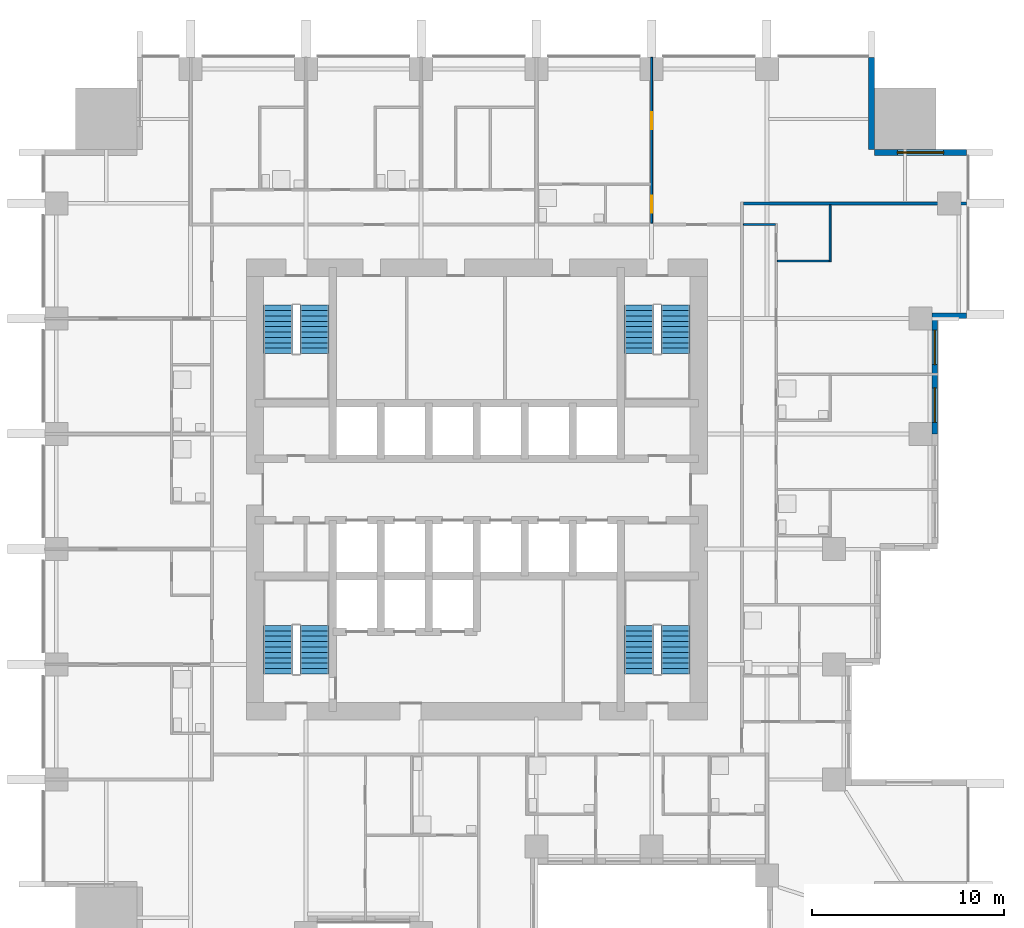
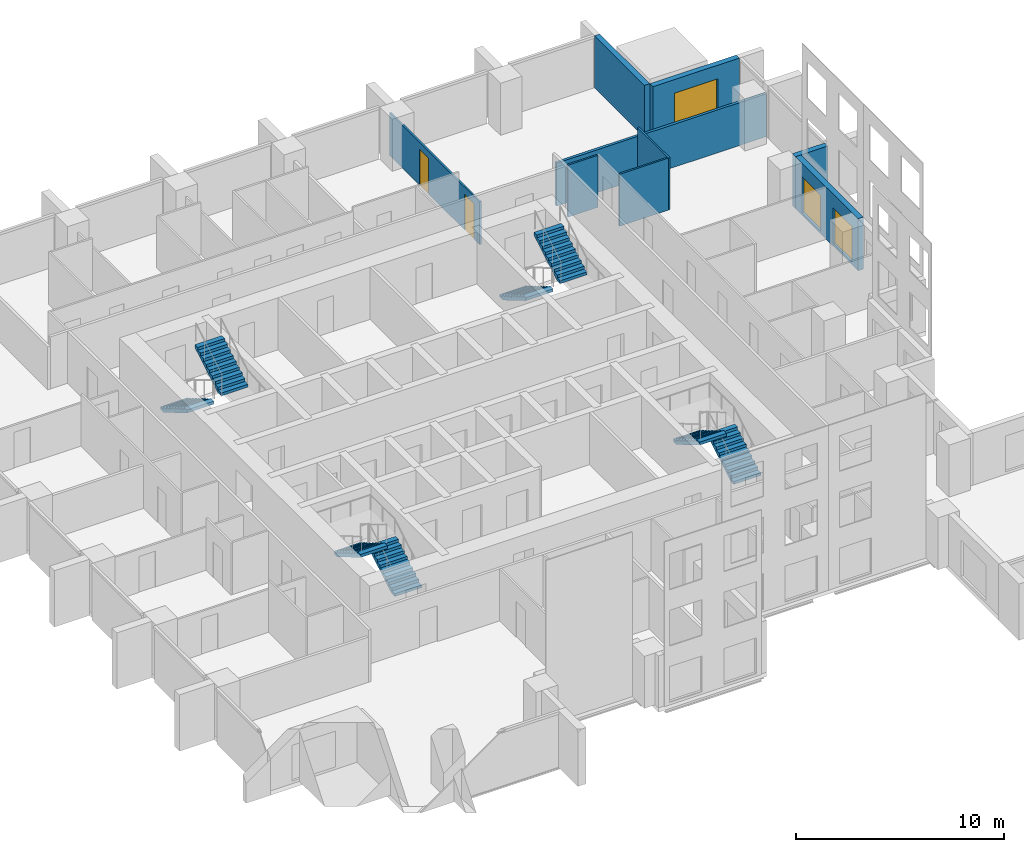
# One storey, part 8 of 11: 9 walls, 8 stair flights, 3 windows, 2 doors, 5 openings, 4 elements without a shape of their own.
"""IFC4 building model written with IfcOpenShell, lengths in metres."""

from ifc_helpers import new_model, si_unit, direction, frame, frame_2d, origin, place, context, subcontext, project, spatial, polyline, rectangle, outline, extrude, material, layer, layer_set, type_object, element, fill, aggregate, save


model = new_model("IFC4")

# Units and contexts
model_context = context("Model", 3, precision=1e-05, world=origin(), true_north=direction((0.0, 1.0)))
body_context = subcontext(model_context, "Body", "Model", "MODEL_VIEW")
ifc_project = project(units=[si_unit("LENGTHUNIT", "METRE"), si_unit("AREAUNIT", "SQUARE_METRE"), si_unit("VOLUMEUNIT", "CUBIC_METRE"), si_unit("PLANEANGLEUNIT", "RADIAN"), si_unit("MASSUNIT", "GRAM", prefix="KILO")], contexts=[model_context])

# Site, building, storey
site_placement = place(None, origin())
site = spatial("IfcSite", under=ifc_project, at=site_placement, CompositionType="ELEMENT")
building_placement = place(site_placement, origin())
building = spatial("IfcBuilding", under=site, at=building_placement, Name="Amberfall Residences", CompositionType="ELEMENT")
storey_placement = place(building_placement, frame((0.0, 0.0, 43.300048828125)))
storey = spatial("IfcBuildingStorey", under=building, at=storey_placement, Name="L11", CompositionType="ELEMENT", Elevation=43.300048828125)

# Wall
ifc_material_1 = material(Name="Pale stone cladding on insulated backing", Category="masonry")
ifc_layer_1 = layer(ifc_material_1, 0.300048828125)
ifc_layer_set_1 = layer_set([ifc_layer_1], Name="Bronze clad wall 300")
wall_type_1 = type_object("IfcWallType", Name="Bronze clad wall 300", PredefinedType="SOLIDWALL", material=ifc_layer_set_1)
wall_1_placement = place(storey_placement, frame((98.199951171875, 54.550048828125, 0.0), z_axis=(0.0, 0.0, 1.0), x_axis=(1.0, 0.0, 0.0)))
element("IfcWall", 1, at=wall_1_placement, inside=storey, type_object=wall_type_1, Name="External wall L11 E", PredefinedType="SOLIDWALL", context=body_context, shape_type="SweptSolid", body=[
    extrude(rectangle(XDim=1.800048828125, YDim=0.300048828125, at=frame_2d((0.89990234375, 0.0))), origin(), (0.0, 0.0, 1.0), 3.050048828125),
])

# Wall, opening, window
wall_2_placement = place(storey_placement, frame((100.0, 63.050048828125, 0.0), z_axis=(0.0, 0.0, 1.0), x_axis=(-1.0, 0.0, 0.0)))
wall_2 = element("IfcWall", 2, at=wall_2_placement, inside=storey, type_object=wall_type_1, Name="External wall L11 NE", PredefinedType="SOLIDWALL", context=body_context, shape_type="SweptSolid", body=[
    extrude(rectangle(XDim=4.800048828125, YDim=0.300048828125, at=frame_2d((2.39990234375, 0.0))), origin(), (0.0, 0.0, 1.0), 3.050048828125),
])
opening_1_placement = place(wall_2_placement, frame((1.199951171875, 0.0, 0.14990234375)))
opening_1 = element("IfcOpeningElement", 3, at=opening_1_placement, cuts=wall_2, Name="Opening WN5", PredefinedType="OPENING", context=body_context, shape_type="SweptSolid", body=[
    extrude(rectangle(XDim=2.39990234375, YDim=2.10009765625, at=frame_2d((1.199951171875, 1.050048828125))), frame((0.0, 0.159912109375, 0.0), z_axis=(0.0, -1.0, 0.0), x_axis=(1.0, 0.0, 0.0)), (0.0, 0.0, 1.0), 0.320068359375),
])
ifc_material_2 = material(Name="Bronze aluminium framed glazing", Category="aluminium")
window_type_1 = type_object("IfcWindowType", Name="Glazed opening 2400 x 2100 bronze", PartitioningType="DOUBLE_PANEL_VERTICAL", PredefinedType="WINDOW", material=ifc_material_2)
window_1_placement = place(opening_1_placement, origin())
window_1 = element("IfcWindow", 4, at=window_1_placement, inside=storey, type_object=window_type_1, Name="Window L11 NE", OverallHeight=2.10009765625, OverallWidth=2.39990234375, PartitioningType="DOUBLE_PANEL_VERTICAL", PredefinedType="WINDOW", context=body_context, shape_type="SweptSolid", body=[
    extrude(rectangle(XDim=2.39990234375, YDim=2.10009765625, at=frame_2d((1.199951171875, 1.050048828125))), frame((0.0, 0.030029296875, 0.0), z_axis=(0.0, -1.0, 0.0), x_axis=(1.0, 0.0, 0.0)), (0.0, 0.0, 1.0), 0.06005859375),
])
fill(opening_1, window_1)

# Wall
wall_3_placement = place(storey_placement, frame((95.050048828125, 63.199951171875, 0.0), z_axis=(0.0, 0.0, 1.0), x_axis=(0.0, 1.0, 0.0)))
element("IfcWall", 5, at=wall_3_placement, inside=storey, type_object=wall_type_1, Name="External wall L11 NE", PredefinedType="SOLIDWALL", context=body_context, shape_type="SweptSolid", body=[
    extrude(rectangle(XDim=4.800048828125, YDim=0.300048828125, at=frame_2d((2.39990234375, 0.0))), origin(), (0.0, 0.0, 1.0), 3.050048828125),
])

# Wall, openings, windows
wall_4_placement = place(storey_placement, frame((98.35009765625, 48.39990234375, 0.0), z_axis=(0.0, 0.0, 1.0), x_axis=(0.0, 1.0, 0.0)))
wall_4 = element("IfcWall", 6, at=wall_4_placement, inside=storey, type_object=wall_type_1, Name="Stone wall L11 E", PredefinedType="SOLIDWALL", context=body_context, shape_type="SweptSolid", body=[
    extrude(rectangle(XDim=6.0, YDim=0.300048828125, at=frame_2d((3.0, 0.0))), origin(), (0.0, 0.0, 1.0), 3.050048828125),
])
opening_2_placement = place(wall_4_placement, frame((0.60009765625, 0.0, 0.14990234375)))
opening_2 = element("IfcOpeningElement", 7, at=opening_2_placement, cuts=wall_4, Name="Opening WN6", PredefinedType="OPENING", context=body_context, shape_type="SweptSolid", body=[
    extrude(rectangle(XDim=1.800048828125, YDim=2.10009765625, at=frame_2d((0.89990234375, 1.050048828125))), frame((0.0, 0.159912109375, 0.0), z_axis=(0.0, -1.0, 0.0), x_axis=(1.0, 0.0, 0.0)), (0.0, 0.0, 1.0), 0.320068359375),
])
opening_3_placement = place(wall_4_placement, frame((3.60009765625, 0.0, 0.14990234375)))
opening_3 = element("IfcOpeningElement", 8, at=opening_3_placement, cuts=wall_4, Name="Opening WN6", PredefinedType="OPENING", context=body_context, shape_type="SweptSolid", body=[
    extrude(rectangle(XDim=1.800048828125, YDim=2.10009765625, at=frame_2d((0.89990234375, 1.050048828125))), frame((0.0, 0.159912109375, 0.0), z_axis=(0.0, -1.0, 0.0), x_axis=(1.0, 0.0, 0.0)), (0.0, 0.0, 1.0), 0.320068359375),
])
window_type_2 = type_object("IfcWindowType", Name="Glazed opening 1800 x 2100 bronze", PartitioningType="DOUBLE_PANEL_VERTICAL", PredefinedType="WINDOW", material=ifc_material_2)
window_2_placement = place(opening_2_placement, origin())
window_2 = element("IfcWindow", 9, at=window_2_placement, inside=storey, type_object=window_type_2, Name="Window L11 E", OverallHeight=2.10009765625, OverallWidth=1.800048828125, PartitioningType="DOUBLE_PANEL_VERTICAL", PredefinedType="WINDOW", context=body_context, shape_type="SweptSolid", body=[
    extrude(rectangle(XDim=1.800048828125, YDim=2.10009765625, at=frame_2d((0.89990234375, 1.050048828125))), frame((0.0, 0.030029296875, 0.0), z_axis=(0.0, -1.0, 0.0), x_axis=(1.0, 0.0, 0.0)), (0.0, 0.0, 1.0), 0.06005859375),
])
fill(opening_2, window_2)
window_3_placement = place(opening_3_placement, origin())
window_3 = element("IfcWindow", 10, at=window_3_placement, inside=storey, type_object=window_type_2, Name="Window L11 E", OverallHeight=2.10009765625, OverallWidth=1.800048828125, PartitioningType="DOUBLE_PANEL_VERTICAL", PredefinedType="WINDOW", context=body_context, shape_type="SweptSolid", body=[
    extrude(rectangle(XDim=1.800048828125, YDim=2.10009765625, at=frame_2d((0.89990234375, 1.050048828125))), frame((0.0, 0.030029296875, 0.0), z_axis=(0.0, -1.0, 0.0), x_axis=(1.0, 0.0, 0.0)), (0.0, 0.0, 1.0), 0.06005859375),
])
fill(opening_3, window_3)

# Wall, openings, doors
ifc_material_3 = material(Name="Gypsum board on metal stud")
ifc_layer_2 = layer(ifc_material_3, 0.10009765625)
ifc_layer_set_2 = layer_set([ifc_layer_2], Name="Flat partition 100")
wall_type_2 = type_object("IfcWallType", Name="Flat partition 100", PredefinedType="PARTITIONING", material=ifc_layer_set_2)
wall_5_placement = place(storey_placement, frame((83.60009765625, 59.375, 0.0), z_axis=(0.0, 0.0, 1.0), x_axis=(0.0, 1.0, 0.0)))
wall_5 = element("IfcWall", 11, at=wall_5_placement, inside=storey, type_object=wall_type_2, Name="Partition 016", PredefinedType="PARTITIONING", context=body_context, shape_type="SweptSolid", body=[
    extrude(rectangle(XDim=8.625, YDim=0.10009765625, at=frame_2d((4.3125, 0.0))), origin(), (0.0, 0.0, 1.0), 2.515869140625),
])
opening_4_placement = place(wall_5_placement, frame((0.52490234375, 0.0, 0.0)))
opening_4 = element("IfcOpeningElement", 12, at=opening_4_placement, cuts=wall_5, Name="Opening D41", PredefinedType="OPENING", context=body_context, shape_type="SweptSolid", body=[
    extrude(rectangle(XDim=0.89990234375, YDim=2.10009765625, at=frame_2d((0.449951171875, 1.050048828125))), frame((0.0, 0.06005859375, 0.0), z_axis=(0.0, -1.0, 0.0), x_axis=(1.0, 0.0, 0.0)), (0.0, 0.0, 1.0), 0.1201171875),
])
opening_5_placement = place(wall_5_placement, frame((4.875, 0.0, 0.0)))
opening_5 = element("IfcOpeningElement", 13, at=opening_5_placement, cuts=wall_5, Name="Opening D41", PredefinedType="OPENING", context=body_context, shape_type="SweptSolid", body=[
    extrude(rectangle(XDim=0.89990234375, YDim=2.10009765625, at=frame_2d((0.449951171875, 1.050048828125))), frame((0.0, 0.06005859375, 0.0), z_axis=(0.0, -1.0, 0.0), x_axis=(1.0, 0.0, 0.0)), (0.0, 0.0, 1.0), 0.1201171875),
])
ifc_material_4 = material(Name="Timber", Category="wood")
door_type = type_object("IfcDoorType", Name="Internal door 900 x 2100", OperationType="SINGLE_SWING_LEFT", PredefinedType="DOOR", material=ifc_material_4)
door_1_placement = place(opening_4_placement, origin())
door_1 = element("IfcDoor", 14, at=door_1_placement, inside=storey, type_object=door_type, Name="Door 1106 kitchen", OperationType="SINGLE_SWING_LEFT", OverallHeight=2.10009765625, OverallWidth=0.89990234375, PredefinedType="DOOR", context=body_context, shape_type="SweptSolid", body=[
    extrude(rectangle(XDim=0.89990234375, YDim=2.10009765625, at=frame_2d((0.449951171875, 1.050048828125))), frame((0.0, 0.02490234375, 0.0), z_axis=(0.0, -1.0, 0.0), x_axis=(1.0, 0.0, 0.0)), (0.0, 0.0, 1.0), 0.050048828125),
])
fill(opening_4, door_1)
door_2_placement = place(opening_5_placement, origin())
door_2 = element("IfcDoor", 15, at=door_2_placement, inside=storey, type_object=door_type, Name="Door 1106 bedroom1", OperationType="SINGLE_SWING_LEFT", OverallHeight=2.10009765625, OverallWidth=0.89990234375, PredefinedType="DOOR", context=body_context, shape_type="SweptSolid", body=[
    extrude(rectangle(XDim=0.89990234375, YDim=2.10009765625, at=frame_2d((0.449951171875, 1.050048828125))), frame((0.0, 0.02490234375, 0.0), z_axis=(0.0, -1.0, 0.0), x_axis=(1.0, 0.0, 0.0)), (0.0, 0.0, 1.0), 0.050048828125),
])
fill(opening_5, door_2)

# Walls
wall_6_placement = place(storey_placement, frame((92.89990234375, 57.35009765625, 0.0), z_axis=(0.0, 0.0, 1.0), x_axis=(0.0, 1.0, 0.0)))
element("IfcWall", 16, at=wall_6_placement, inside=storey, type_object=wall_type_2, Name="Partition 023", PredefinedType="PARTITIONING", context=body_context, shape_type="SweptSolid", body=[
    extrude(rectangle(XDim=2.974853515625, YDim=0.10009765625, at=frame_2d((1.4873046875, 0.0))), origin(), (0.0, 0.0, 1.0), 3.050048828125),
])
wall_7_placement = place(storey_placement, frame((88.375, 59.300048828125, 0.0), z_axis=(0.0, 0.0, 1.0), x_axis=(1.0, 0.0, 0.0)))
element("IfcWall", 17, at=wall_7_placement, inside=storey, type_object=wall_type_2, Name="Partition 029", PredefinedType="PARTITIONING", context=body_context, shape_type="SweptSolid", body=[
    extrude(rectangle(XDim=1.675048828125, YDim=0.10009765625, at=frame_2d((0.83740234375, 0.0))), origin(), (0.0, 0.0, 1.0), 3.050048828125),
])
wall_8_placement = place(storey_placement, frame((90.14990234375, 57.39990234375, 0.0), z_axis=(0.0, 0.0, 1.0), x_axis=(1.0, 0.0, 0.0)))
element("IfcWall", 18, at=wall_8_placement, inside=storey, type_object=wall_type_2, Name="Partition 030", PredefinedType="PARTITIONING", context=body_context, shape_type="SweptSolid", body=[
    extrude(rectangle(XDim=2.7001953125, YDim=0.10009765625, at=frame_2d((1.35009765625, 0.0))), origin(), (0.0, 0.0, 1.0), 3.050048828125),
])
ifc_material_5 = material(Name="Blockwork, plastered", Category="masonry")
ifc_layer_3 = layer(ifc_material_5, 0.14990234375)
ifc_layer_set_3 = layer_set([ifc_layer_3], Name="Flat separating wall 150")
wall_type_3 = type_object("IfcWallType", Name="Flat separating wall 150", PredefinedType="PARTITIONING", material=ifc_layer_set_3)
wall_9_placement = place(storey_placement, frame((88.375, 60.39990234375, 0.0), z_axis=(0.0, 0.0, 1.0), x_axis=(1.0, 0.0, 0.0)))
element("IfcWall", 19, at=wall_9_placement, inside=storey, type_object=wall_type_3, Name="Separating wall 053", PredefinedType="PARTITIONING", context=body_context, shape_type="SweptSolid", body=[
    extrude(rectangle(XDim=11.625, YDim=0.14990234375, at=frame_2d((5.8125, 0.0))), origin(), (0.0, 0.0, 1.0), 2.515869140625),
])

# Stair, stair flights
ifc_material_6 = material(Name="Concrete C40", Category="concrete")
stair_type = type_object("IfcStairType", Name="Exit stair 20 risers 165.0 mm", PredefinedType="HALF_TURN_STAIR", material=ifc_material_6)
stair_1_placement = place(storey_placement, origin())
stair_1 = element("IfcStair", 20, at=stair_1_placement, inside=storey, type_object=stair_type, Name="L11 Exit stair 1", PredefinedType="HALF_TURN_STAIR")
stair_flight_type = type_object("IfcStairFlightType", Name="Stair flight 10 risers 165.0 mm", PredefinedType="STRAIGHT", material=ifc_material_6)
stair_flight_1_placement = place(storey_placement, frame((66.050048828125, 35.89990234375, 0.0), z_axis=(0.0, 0.0, 1.0), x_axis=(0.0, 1.0, 0.0)))
stair_flight_1 = element("IfcStairFlight", 21, at=stair_flight_1_placement, type_object=stair_flight_type, Name="ST3 flight 1", NumberOfRisers=10, NumberOfTreads=9, PredefinedType="STRAIGHT", RiserHeight=0.165, TreadLength=0.28, context=body_context, shape_type="SweptSolid", body=[
    extrude(outline(polyline([(0.0, 0.0), (0.0, 0.1650390625), (0.280029296875, 0.1650390625), (0.280029296875, 0.330078125), (0.56005859375, 0.330078125), (0.56005859375, 0.4951171875), (0.840087890625, 0.4951171875), (0.840087890625, 0.659912109375), (1.1201171875, 0.659912109375), (1.1201171875, 0.824951171875), (1.39990234375, 0.824951171875), (1.39990234375, 0.989990234375), (1.679931640625, 0.989990234375), (1.679931640625, 1.155029296875), (1.9599609375, 1.155029296875), (1.9599609375, 1.320068359375), (2.239990234375, 1.320068359375), (2.239990234375, 1.485107421875), (2.52001953125, 1.485107421875), (2.52001953125, 1.64990234375), (2.52001953125, 1.31103515625), (0.295166015625, 0.0), (0.0, 0.0)])), frame((0.0, 0.75, 0.0), z_axis=(0.0, -1.0, 0.0), x_axis=(1.0, 0.0, 0.0)), (0.0, 0.0, 1.0), 1.5),
])
stair_flight_2_placement = place(storey_placement, frame((64.14990234375, 38.419921875, 1.64990234375), z_axis=(0.0, 0.0, 1.0), x_axis=(0.0, -1.0, 0.0)))
stair_flight_2 = element("IfcStairFlight", 22, at=stair_flight_2_placement, type_object=stair_flight_type, Name="ST3 flight 2", NumberOfRisers=10, NumberOfTreads=9, PredefinedType="STRAIGHT", RiserHeight=0.165, TreadLength=0.28, context=body_context, shape_type="SweptSolid", body=[
    extrude(outline(polyline([(0.0, 0.0), (0.0, 0.1650390625), (0.280029296875, 0.1650390625), (0.280029296875, 0.330078125), (0.56005859375, 0.330078125), (0.56005859375, 0.4951171875), (0.840087890625, 0.4951171875), (0.840087890625, 0.659912109375), (1.1201171875, 0.659912109375), (1.1201171875, 0.824951171875), (1.39990234375, 0.824951171875), (1.39990234375, 0.989990234375), (1.679931640625, 0.989990234375), (1.679931640625, 1.155029296875), (1.9599609375, 1.155029296875), (1.9599609375, 1.320068359375), (2.239990234375, 1.320068359375), (2.239990234375, 1.485107421875), (2.52001953125, 1.485107421875), (2.52001953125, 1.64990234375), (2.52001953125, 1.31103515625), (0.295166015625, 0.0), (0.0, 0.0)])), frame((0.0, 0.75, 0.0), z_axis=(0.0, -1.0, 0.0), x_axis=(1.0, 0.0, 0.0)), (0.0, 0.0, 1.0), 1.5),
])
aggregate(stair_1, [stair_flight_1, stair_flight_2])

stair_2_placement = place(storey_placement, origin())
stair_2 = element("IfcStair", 23, at=stair_2_placement, inside=storey, type_object=stair_type, Name="L11 Exit stair 2", PredefinedType="HALF_TURN_STAIR")
stair_flight_3_placement = place(storey_placement, frame((84.85009765625, 35.89990234375, 0.0), z_axis=(0.0, 0.0, 1.0), x_axis=(0.0, 1.0, 0.0)))
stair_flight_3 = element("IfcStairFlight", 24, at=stair_flight_3_placement, type_object=stair_flight_type, Name="ST3 flight 1", NumberOfRisers=10, NumberOfTreads=9, PredefinedType="STRAIGHT", RiserHeight=0.165, TreadLength=0.28, context=body_context, shape_type="SweptSolid", body=[
    extrude(outline(polyline([(0.0, 0.0), (0.0, 0.1650390625), (0.280029296875, 0.1650390625), (0.280029296875, 0.330078125), (0.56005859375, 0.330078125), (0.56005859375, 0.4951171875), (0.840087890625, 0.4951171875), (0.840087890625, 0.659912109375), (1.1201171875, 0.659912109375), (1.1201171875, 0.824951171875), (1.39990234375, 0.824951171875), (1.39990234375, 0.989990234375), (1.679931640625, 0.989990234375), (1.679931640625, 1.155029296875), (1.9599609375, 1.155029296875), (1.9599609375, 1.320068359375), (2.239990234375, 1.320068359375), (2.239990234375, 1.485107421875), (2.52001953125, 1.485107421875), (2.52001953125, 1.64990234375), (2.52001953125, 1.31103515625), (0.295166015625, 0.0), (0.0, 0.0)])), frame((0.0, 0.75, 0.0), z_axis=(0.0, -1.0, 0.0), x_axis=(1.0, 0.0, 0.0)), (0.0, 0.0, 1.0), 1.5),
])
stair_flight_4_placement = place(storey_placement, frame((82.949951171875, 38.419921875, 1.64990234375), z_axis=(0.0, 0.0, 1.0), x_axis=(0.0, -1.0, 0.0)))
stair_flight_4 = element("IfcStairFlight", 25, at=stair_flight_4_placement, type_object=stair_flight_type, Name="ST3 flight 2", NumberOfRisers=10, NumberOfTreads=9, PredefinedType="STRAIGHT", RiserHeight=0.165, TreadLength=0.28, context=body_context, shape_type="SweptSolid", body=[
    extrude(outline(polyline([(0.0, 0.0), (0.0, 0.1650390625), (0.280029296875, 0.1650390625), (0.280029296875, 0.330078125), (0.56005859375, 0.330078125), (0.56005859375, 0.4951171875), (0.840087890625, 0.4951171875), (0.840087890625, 0.659912109375), (1.1201171875, 0.659912109375), (1.1201171875, 0.824951171875), (1.39990234375, 0.824951171875), (1.39990234375, 0.989990234375), (1.679931640625, 0.989990234375), (1.679931640625, 1.155029296875), (1.9599609375, 1.155029296875), (1.9599609375, 1.320068359375), (2.239990234375, 1.320068359375), (2.239990234375, 1.485107421875), (2.52001953125, 1.485107421875), (2.52001953125, 1.64990234375), (2.52001953125, 1.31103515625), (0.295166015625, 0.0), (0.0, 0.0)])), frame((0.0, 0.75, 0.0), z_axis=(0.0, -1.0, 0.0), x_axis=(1.0, 0.0, 0.0)), (0.0, 0.0, 1.0), 1.5),
])
aggregate(stair_2, [stair_flight_3, stair_flight_4])

stair_3_placement = place(storey_placement, origin())
stair_3 = element("IfcStair", 26, at=stair_3_placement, inside=storey, type_object=stair_type, Name="L11 Exit stair 3", PredefinedType="HALF_TURN_STAIR")
stair_flight_5_placement = place(storey_placement, frame((82.949951171875, 55.10009765625, 0.0), z_axis=(0.0, 0.0, 1.0), x_axis=(0.0, -1.0, 0.0)))
stair_flight_5 = element("IfcStairFlight", 27, at=stair_flight_5_placement, type_object=stair_flight_type, Name="ST3 flight 1", NumberOfRisers=10, NumberOfTreads=9, PredefinedType="STRAIGHT", RiserHeight=0.165, TreadLength=0.28, context=body_context, shape_type="SweptSolid", body=[
    extrude(outline(polyline([(0.0, 0.0), (0.0, 0.1650390625), (0.280029296875, 0.1650390625), (0.280029296875, 0.330078125), (0.56005859375, 0.330078125), (0.56005859375, 0.4951171875), (0.840087890625, 0.4951171875), (0.840087890625, 0.659912109375), (1.1201171875, 0.659912109375), (1.1201171875, 0.824951171875), (1.39990234375, 0.824951171875), (1.39990234375, 0.989990234375), (1.679931640625, 0.989990234375), (1.679931640625, 1.155029296875), (1.9599609375, 1.155029296875), (1.9599609375, 1.320068359375), (2.239990234375, 1.320068359375), (2.239990234375, 1.485107421875), (2.52001953125, 1.485107421875), (2.52001953125, 1.64990234375), (2.52001953125, 1.31103515625), (0.295166015625, 0.0), (0.0, 0.0)])), frame((0.0, 0.75, 0.0), z_axis=(0.0, -1.0, 0.0), x_axis=(1.0, 0.0, 0.0)), (0.0, 0.0, 1.0), 1.5),
])
stair_flight_6_placement = place(storey_placement, frame((84.85009765625, 52.580078125, 1.64990234375), z_axis=(0.0, 0.0, 1.0), x_axis=(0.0, 1.0, 0.0)))
stair_flight_6 = element("IfcStairFlight", 28, at=stair_flight_6_placement, type_object=stair_flight_type, Name="ST3 flight 2", NumberOfRisers=10, NumberOfTreads=9, PredefinedType="STRAIGHT", RiserHeight=0.165, TreadLength=0.28, context=body_context, shape_type="SweptSolid", body=[
    extrude(outline(polyline([(0.0, 0.0), (0.0, 0.1650390625), (0.280029296875, 0.1650390625), (0.280029296875, 0.330078125), (0.56005859375, 0.330078125), (0.56005859375, 0.4951171875), (0.840087890625, 0.4951171875), (0.840087890625, 0.659912109375), (1.1201171875, 0.659912109375), (1.1201171875, 0.824951171875), (1.39990234375, 0.824951171875), (1.39990234375, 0.989990234375), (1.679931640625, 0.989990234375), (1.679931640625, 1.155029296875), (1.9599609375, 1.155029296875), (1.9599609375, 1.320068359375), (2.239990234375, 1.320068359375), (2.239990234375, 1.485107421875), (2.52001953125, 1.485107421875), (2.52001953125, 1.64990234375), (2.52001953125, 1.31103515625), (0.295166015625, 0.0), (0.0, 0.0)])), frame((0.0, 0.75, 0.0), z_axis=(0.0, -1.0, 0.0), x_axis=(1.0, 0.0, 0.0)), (0.0, 0.0, 1.0), 1.5),
])
aggregate(stair_3, [stair_flight_5, stair_flight_6])

stair_4_placement = place(storey_placement, origin())
stair_4 = element("IfcStair", 29, at=stair_4_placement, inside=storey, type_object=stair_type, Name="L11 Exit stair 4", PredefinedType="HALF_TURN_STAIR")
stair_flight_7_placement = place(storey_placement, frame((64.14990234375, 55.10009765625, 0.0), z_axis=(0.0, 0.0, 1.0), x_axis=(0.0, -1.0, 0.0)))
stair_flight_7 = element("IfcStairFlight", 30, at=stair_flight_7_placement, type_object=stair_flight_type, Name="ST3 flight 1", NumberOfRisers=10, NumberOfTreads=9, PredefinedType="STRAIGHT", RiserHeight=0.165, TreadLength=0.28, context=body_context, shape_type="SweptSolid", body=[
    extrude(outline(polyline([(0.0, 0.0), (0.0, 0.1650390625), (0.280029296875, 0.1650390625), (0.280029296875, 0.330078125), (0.56005859375, 0.330078125), (0.56005859375, 0.4951171875), (0.840087890625, 0.4951171875), (0.840087890625, 0.659912109375), (1.1201171875, 0.659912109375), (1.1201171875, 0.824951171875), (1.39990234375, 0.824951171875), (1.39990234375, 0.989990234375), (1.679931640625, 0.989990234375), (1.679931640625, 1.155029296875), (1.9599609375, 1.155029296875), (1.9599609375, 1.320068359375), (2.239990234375, 1.320068359375), (2.239990234375, 1.485107421875), (2.52001953125, 1.485107421875), (2.52001953125, 1.64990234375), (2.52001953125, 1.31103515625), (0.295166015625, 0.0), (0.0, 0.0)])), frame((0.0, 0.75, 0.0), z_axis=(0.0, -1.0, 0.0), x_axis=(1.0, 0.0, 0.0)), (0.0, 0.0, 1.0), 1.5),
])
stair_flight_8_placement = place(storey_placement, frame((66.050048828125, 52.580078125, 1.64990234375), z_axis=(0.0, 0.0, 1.0), x_axis=(0.0, 1.0, 0.0)))
stair_flight_8 = element("IfcStairFlight", 31, at=stair_flight_8_placement, type_object=stair_flight_type, Name="ST3 flight 2", NumberOfRisers=10, NumberOfTreads=9, PredefinedType="STRAIGHT", RiserHeight=0.165, TreadLength=0.28, context=body_context, shape_type="SweptSolid", body=[
    extrude(outline(polyline([(0.0, 0.0), (0.0, 0.1650390625), (0.280029296875, 0.1650390625), (0.280029296875, 0.330078125), (0.56005859375, 0.330078125), (0.56005859375, 0.4951171875), (0.840087890625, 0.4951171875), (0.840087890625, 0.659912109375), (1.1201171875, 0.659912109375), (1.1201171875, 0.824951171875), (1.39990234375, 0.824951171875), (1.39990234375, 0.989990234375), (1.679931640625, 0.989990234375), (1.679931640625, 1.155029296875), (1.9599609375, 1.155029296875), (1.9599609375, 1.320068359375), (2.239990234375, 1.320068359375), (2.239990234375, 1.485107421875), (2.52001953125, 1.485107421875), (2.52001953125, 1.64990234375), (2.52001953125, 1.31103515625), (0.295166015625, 0.0), (0.0, 0.0)])), frame((0.0, 0.75, 0.0), z_axis=(0.0, -1.0, 0.0), x_axis=(1.0, 0.0, 0.0)), (0.0, 0.0, 1.0), 1.5),
])
aggregate(stair_4, [stair_flight_7, stair_flight_8])

save(model, "model.ifc")
